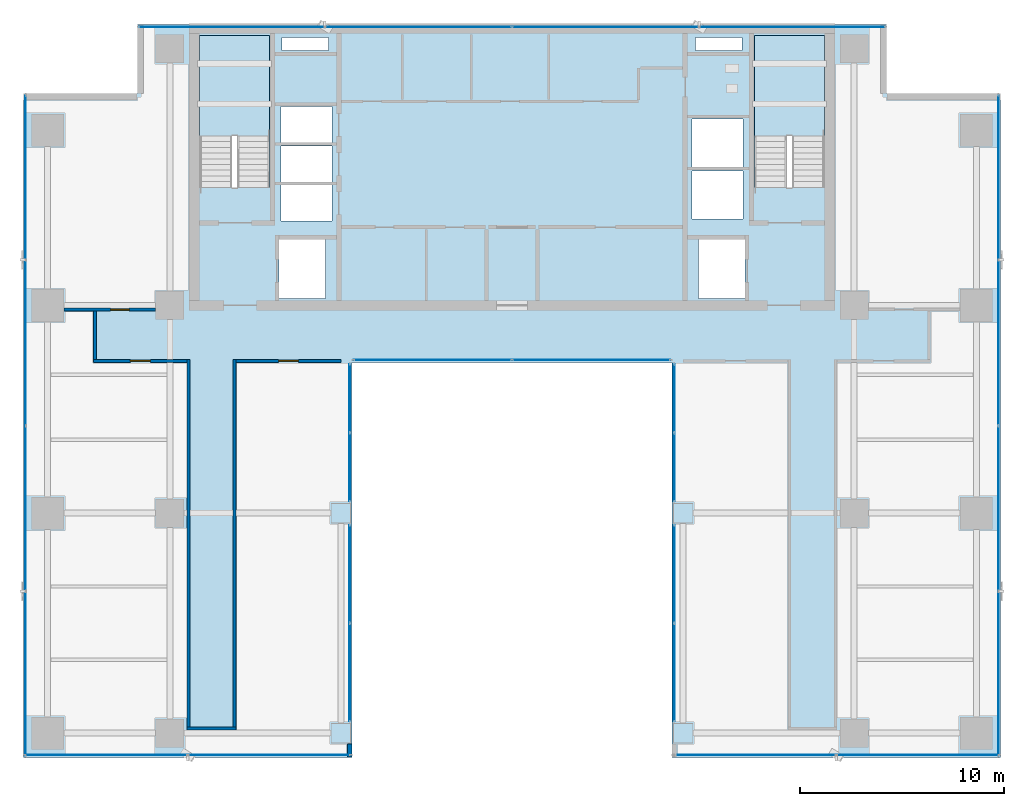
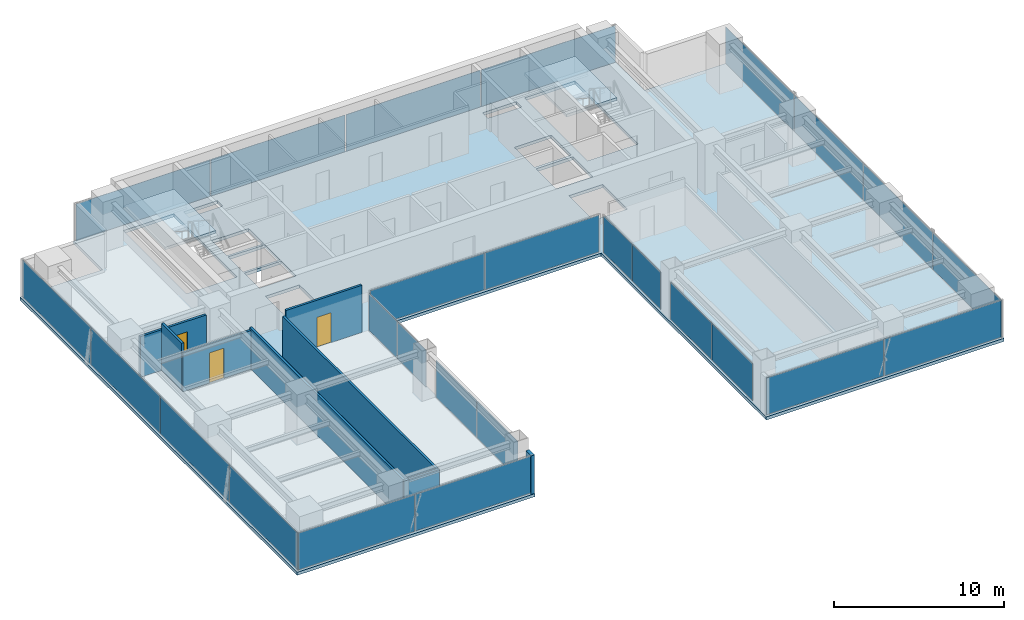
# One storey, part 23 of 29: 26 plates, 8 walls, 3 doors, 3 slabs, 3 openings, 12 elements without a shape of their own.
"""IFC4 building model written with IfcOpenShell, lengths in metres."""

from ifc_helpers import new_model, si_unit, direction, frame, frame_2d, origin, origin_2d, place, context, subcontext, project, spatial, polyline, rectangle, outline, extrude, source, transform, mapped, material, layer, layer_set, type_object, element, fill, aggregate, save


model = new_model("IFC4")

# Units and contexts
model_context = context("Model", 3, precision=1e-05, world=origin(), true_north=direction((0.0, 1.0)))
body_context = subcontext(model_context, "Body", "Model", "MODEL_VIEW")
ifc_project = project(units=[si_unit("LENGTHUNIT", "METRE"), si_unit("AREAUNIT", "SQUARE_METRE"), si_unit("VOLUMEUNIT", "CUBIC_METRE"), si_unit("PLANEANGLEUNIT", "RADIAN"), si_unit("MASSUNIT", "GRAM", prefix="KILO")], contexts=[model_context])

# Site, building, storey
site_placement = place(None, origin())
site = spatial("IfcSite", under=ifc_project, at=site_placement, CompositionType="ELEMENT")
building_placement = place(site_placement, origin())
building = spatial("IfcBuilding", under=site, at=building_placement, Name="Sumidabori Civic Tower", CompositionType="ELEMENT")
storey_placement = place(building_placement, frame((0.0, 0.0, 214.39990234375)))
storey = spatial("IfcBuildingStorey", under=building, at=storey_placement, Name="L55", CompositionType="ELEMENT", Elevation=214.39990234375)

# Stair, slab
ifc_material_1 = material(Name="Concrete C40/50", Category="concrete")
stair_type = type_object("IfcStairType", Name="ST-CORE-1600", PredefinedType="HALF_TURN_STAIR", material=ifc_material_1)
stair_1_placement = place(storey_placement, origin())
stair_1 = element("IfcStair", 1, at=stair_1_placement, inside=storey, type_object=stair_type, Name="L55 ST-1", PredefinedType="HALF_TURN_STAIR")
ifc_layer_1 = layer(ifc_material_1, 0.199951171875, Name="Concrete C40/50")
ifc_layer_set_1 = layer_set([ifc_layer_1], Name="Concrete C40/50")
slab_type_1 = type_object("IfcSlabType", Name="SL-LAND-200", PredefinedType="LANDING", material=ifc_layer_set_1)
slab_1_placement = place(storey_placement, frame((0.0, 0.0, 1.60009765625)))
slab_1 = element("IfcSlab", 2, at=slab_1_placement, type_object=slab_type_1, Name="ST-1 landing 1", PredefinedType="LANDING", context=body_context, shape_type="SweptSolid", body=[
    extrude(outline(polyline([(-11.89990234375, 18.52001953125), (-11.89990234375, 23.449951171875), (-15.340087890625, 23.449951171875), (-15.340087890625, 18.52001953125), (-11.89990234375, 18.52001953125)])), origin(), (0.0, 0.0, 1.0), 0.199951171875),
])
aggregate(stair_1, [slab_1])

stair_2_placement = place(storey_placement, origin())
stair_2 = element("IfcStair", 3, at=stair_2_placement, inside=storey, type_object=stair_type, Name="L55 ST-2", PredefinedType="HALF_TURN_STAIR")
slab_2_placement = place(storey_placement, frame((0.0, 0.0, 1.60009765625)))
slab_2 = element("IfcSlab", 4, at=slab_2_placement, type_object=slab_type_1, Name="ST-2 landing 1", PredefinedType="LANDING", context=body_context, shape_type="SweptSolid", body=[
    extrude(outline(polyline([(15.340087890625, 18.52001953125), (15.340087890625, 23.449951171875), (11.89990234375, 23.449951171875), (11.89990234375, 18.52001953125), (15.340087890625, 18.52001953125)])), origin(), (0.0, 0.0, 1.0), 0.199951171875),
])
aggregate(stair_2, [slab_2])

# Slab
ifc_layer_2 = layer(ifc_material_1, 0.219970703125, Name="Concrete C40/50")
ifc_layer_set_2 = layer_set([ifc_layer_2], Name="Concrete C40/50")
slab_type_2 = type_object("IfcSlabType", Name="SL-Z3-220", PredefinedType="FLOOR", material=ifc_layer_set_2)
slab_3_placement = place(storey_placement, frame((0.0, 0.0, -0.219970703125)))
element("IfcSlab", 5, at=slab_3_placement, inside=storey, type_object=slab_type_2, Name="Structural Slab L55", PredefinedType="FLOOR", context=body_context, shape_type="SweptSolid", body=[
    extrude(outline(polyline([(-24.0, -12.0), (-7.85009765625, -12.0), (-7.85009765625, 7.39990234375), (7.85009765625, 7.39990234375), (7.85009765625, -12.0), (24.0, -12.0), (24.0, 20.60009765625), (18.39990234375, 20.60009765625), (18.39990234375, 24.0), (-18.39990234375, 24.0), (-18.39990234375, 20.60009765625), (-24.0, 20.60009765625), (-24.0, -12.0)]), holes=[polyline([(-11.89990234375, 16.0), (-11.89990234375, 23.449951171875), (-15.340087890625, 23.449951171875), (-15.340087890625, 16.0), (-11.89990234375, 16.0)]), polyline([(15.340087890625, 16.0), (15.340087890625, 23.449951171875), (11.89990234375, 23.449951171875), (11.89990234375, 16.0), (15.340087890625, 16.0)]), polyline([(-11.449951171875, 10.550048828125), (-9.14990234375, 10.550048828125), (-9.14990234375, 13.449951171875), (-11.449951171875, 13.449951171875), (-11.449951171875, 10.550048828125)]), polyline([(9.14990234375, 10.550048828125), (11.449951171875, 10.550048828125), (11.449951171875, 13.449951171875), (9.14990234375, 13.449951171875), (9.14990234375, 10.550048828125)]), polyline([(-11.35009765625, 14.35009765625), (-8.85009765625, 14.35009765625), (-8.85009765625, 16.1201171875), (-11.35009765625, 16.1201171875), (-11.35009765625, 14.35009765625)]), polyline([(-11.35009765625, 16.27001953125), (-8.85009765625, 16.27001953125), (-8.85009765625, 18.0400390625), (-11.35009765625, 18.0400390625), (-11.35009765625, 16.27001953125)]), polyline([(-11.35009765625, 18.18994140625), (-8.85009765625, 18.18994140625), (-8.85009765625, 19.9599609375), (-11.35009765625, 19.9599609375), (-11.35009765625, 18.18994140625)]), polyline([(8.85009765625, 14.449951171875), (11.35009765625, 14.449951171875), (11.35009765625, 16.800048828125), (8.85009765625, 16.800048828125), (8.85009765625, 14.449951171875)]), polyline([(8.85009765625, 17.0), (11.35009765625, 17.0), (11.35009765625, 19.35009765625), (8.85009765625, 19.35009765625), (8.85009765625, 17.0)]), polyline([(-11.300048828125, 22.719970703125), (-9.0, 22.719970703125), (-9.0, 23.35009765625), (-11.300048828125, 23.35009765625), (-11.300048828125, 22.719970703125)]), polyline([(9.0, 22.719970703125), (11.300048828125, 22.719970703125), (11.300048828125, 23.35009765625), (9.0, 23.35009765625), (9.0, 22.719970703125)])]), origin(), (0.0, 0.0, 1.0), 0.219970703125),
])

# Curtain wall, plates
ifc_material_2 = material(Name="Anodised Bronze Aluminium AW-6063-T6", Category="aluminium")
ifc_layer_3 = layer(ifc_material_2, 0.179931640625, Name="Anodised Bronze Aluminium AW-6063-T6")
ifc_layer_set_3 = layer_set([ifc_layer_3], Name="Anodised Bronze Aluminium AW-6063-T6")
curtain_wall_type_1 = type_object("IfcCurtainWallType", Name="CW-SYS-5", PredefinedType="NOTDEFINED", material=ifc_layer_set_3)
curtain_wall_1_placement = place(storey_placement, origin())
curtain_wall_1 = element("IfcCurtainWall", 6, at=curtain_wall_1_placement, inside=storey, type_object=curtain_wall_type_1, Name="Curtain Wall CW:L55:R01", PredefinedType="NOTDEFINED")
ifc_material_3 = material(Name="Low-E Solar-Control Vision Glazing", Category="glass")
ifc_layer_4 = layer(ifc_material_3, 0.028076171875, Name="Low-E Solar-Control Vision Glazing")
ifc_layer_set_4 = layer_set([ifc_layer_4], Name="Low-E Solar-Control Vision Glazing")
plate_type_1 = type_object("IfcPlateType", Name="CW-PNL-28", PredefinedType="CURTAIN_PANEL", material=ifc_layer_set_4)
shared_shape_1 = source(origin(), body_context, "Body", "SweptSolid", [
    extrude(rectangle(XDim=7.955078125, YDim=0.028076171875, at=origin_2d()), origin(), (0.0, 0.0, 1.0), 2.639892578125),
])
plate_1_placement = place(storey_placement, frame((-19.9326171875, -11.8798828125, 0.06005859375), z_axis=(0.0, 0.0, 1.0), x_axis=(1.0, 0.0, 0.0)))
plate_1 = element("IfcPlate", 7, at=plate_1_placement, type_object=plate_type_1, Name="CW-5 panel 1.1", PredefinedType="CURTAIN_PANEL", context=body_context, shape_type="MappedRepresentation", body=[
    mapped(shared_shape_1, transform((0.0, 0.0, 0.0), x_axis=(1.0, 0.0, 0.0), y_axis=(0.0, 1.0, 0.0), z_axis=(0.0, 0.0, 1.0), scale=1.0)),
])
plate_2_placement = place(storey_placement, frame((-11.91748046875, -11.8798828125, 0.06005859375), z_axis=(0.0, 0.0, 1.0), x_axis=(1.0, 0.0, 0.0)))
plate_2 = element("IfcPlate", 8, at=plate_2_placement, type_object=plate_type_1, Name="CW-5 panel 2.1", PredefinedType="CURTAIN_PANEL", context=body_context, shape_type="MappedRepresentation", body=[
    mapped(shared_shape_1, transform((0.0, 0.0, 0.0), x_axis=(1.0, 0.0, 0.0), y_axis=(0.0, 1.0, 0.0), z_axis=(0.0, 0.0, 1.0), scale=1.0)),
])
aggregate(curtain_wall_1, [plate_1, plate_2])

curtain_wall_2_placement = place(storey_placement, origin())
curtain_wall_2 = element("IfcCurtainWall", 9, at=curtain_wall_2_placement, inside=storey, type_object=curtain_wall_type_1, Name="Curtain Wall CW:L55:R09", PredefinedType="NOTDEFINED")
plate_3_placement = place(storey_placement, frame((11.91748046875, -11.8798828125, 0.06005859375), z_axis=(0.0, 0.0, 1.0), x_axis=(1.0, 0.0, 0.0)))
plate_3 = element("IfcPlate", 10, at=plate_3_placement, type_object=plate_type_1, Name="CW-5 panel 1.1", PredefinedType="CURTAIN_PANEL", context=body_context, shape_type="MappedRepresentation", body=[
    mapped(shared_shape_1, transform((0.0, 0.0, 0.0), x_axis=(1.0, 0.0, 0.0), y_axis=(0.0, 1.0, 0.0), z_axis=(0.0, 0.0, 1.0), scale=1.0)),
])
plate_4_placement = place(storey_placement, frame((19.9326171875, -11.8798828125, 0.06005859375), z_axis=(0.0, 0.0, 1.0), x_axis=(1.0, 0.0, 0.0)))
plate_4 = element("IfcPlate", 11, at=plate_4_placement, type_object=plate_type_1, Name="CW-5 panel 2.1", PredefinedType="CURTAIN_PANEL", context=body_context, shape_type="MappedRepresentation", body=[
    mapped(shared_shape_1, transform((0.0, 0.0, 0.0), x_axis=(1.0, 0.0, 0.0), y_axis=(0.0, 1.0, 0.0), z_axis=(0.0, 0.0, 1.0), scale=1.0)),
])
aggregate(curtain_wall_2, [plate_3, plate_4])

ifc_layer_5 = layer(ifc_material_2, 0.179931640625, Name="Anodised Bronze Aluminium AW-6063-T6")
ifc_layer_set_5 = layer_set([ifc_layer_5], Name="Anodised Bronze Aluminium AW-6063-T6")
curtain_wall_type_2 = type_object("IfcCurtainWallType", Name="CW-SYS-4", PredefinedType="NOTDEFINED", material=ifc_layer_set_5)
curtain_wall_3_placement = place(storey_placement, origin())
curtain_wall_3 = element("IfcCurtainWall", 12, at=curtain_wall_3_placement, inside=storey, type_object=curtain_wall_type_2, Name="Curtain Wall CW:L55:R03", PredefinedType="NOTDEFINED")
ifc_material_4 = material(Name="Acoustic Laminated Portal Glazing", Category="glass")
ifc_layer_6 = layer(ifc_material_4, 0.030029296875, Name="Acoustic Laminated Portal Glazing")
ifc_layer_set_6 = layer_set([ifc_layer_6], Name="Acoustic Laminated Portal Glazing")
plate_type_2 = type_object("IfcPlateType", Name="CW-PNL-30", PredefinedType="CURTAIN_PANEL", material=ifc_layer_set_6)
shared_shape_2 = source(origin(), body_context, "Body", "SweptSolid", [
    extrude(rectangle(XDim=4.780029296875, YDim=0.030029296875, at=origin_2d()), origin(), (0.0, 0.0, 1.0), 2.639892578125),
])
plate_5_placement = place(storey_placement, frame((-7.969970703125, -7.820068359375, 0.06005859375), z_axis=(0.0, 0.0, 1.0), x_axis=(0.0, 1.0, 0.0)))
plate_5 = element("IfcPlate", 13, at=plate_5_placement, type_object=plate_type_2, Name="CW-4 panel 1.1", PredefinedType="CURTAIN_PANEL", context=body_context, shape_type="MappedRepresentation", body=[
    mapped(shared_shape_2, transform((0.0, 0.0, 0.0), x_axis=(1.0, 0.0, 0.0), y_axis=(0.0, 1.0, 0.0), z_axis=(0.0, 0.0, 1.0), scale=1.0)),
])
plate_6_placement = place(storey_placement, frame((-7.969970703125, -2.97998046875, 0.06005859375), z_axis=(0.0, 0.0, 1.0), x_axis=(0.0, 1.0, 0.0)))
plate_6 = element("IfcPlate", 14, at=plate_6_placement, type_object=plate_type_2, Name="CW-4 panel 2.1", PredefinedType="CURTAIN_PANEL", context=body_context, shape_type="MappedRepresentation", body=[
    mapped(shared_shape_2, transform((0.0, 0.0, 0.0), x_axis=(1.0, 0.0, 0.0), y_axis=(0.0, 1.0, 0.0), z_axis=(0.0, 0.0, 1.0), scale=1.0)),
])
aggregate(curtain_wall_3, [plate_5, plate_6])

curtain_wall_4_placement = place(storey_placement, origin())
curtain_wall_4 = element("IfcCurtainWall", 15, at=curtain_wall_4_placement, inside=storey, type_object=curtain_wall_type_2, Name="Curtain Wall CW:L55:R07", PredefinedType="NOTDEFINED")
plate_7_placement = place(storey_placement, frame((7.969970703125, -2.97998046875, 0.06005859375), z_axis=(0.0, 0.0, 1.0), x_axis=(0.0, -1.0, 0.0)))
plate_7 = element("IfcPlate", 16, at=plate_7_placement, type_object=plate_type_2, Name="CW-4 panel 1.1", PredefinedType="CURTAIN_PANEL", context=body_context, shape_type="MappedRepresentation", body=[
    mapped(shared_shape_2, transform((0.0, 0.0, 0.0), x_axis=(1.0, 0.0, 0.0), y_axis=(0.0, 1.0, 0.0), z_axis=(0.0, 0.0, 1.0), scale=1.0)),
])
plate_8_placement = place(storey_placement, frame((7.969970703125, -7.820068359375, 0.06005859375), z_axis=(0.0, 0.0, 1.0), x_axis=(0.0, -1.0, 0.0)))
plate_8 = element("IfcPlate", 17, at=plate_8_placement, type_object=plate_type_2, Name="CW-4 panel 2.1", PredefinedType="CURTAIN_PANEL", context=body_context, shape_type="MappedRepresentation", body=[
    mapped(shared_shape_2, transform((0.0, 0.0, 0.0), x_axis=(1.0, 0.0, 0.0), y_axis=(0.0, 1.0, 0.0), z_axis=(0.0, 0.0, 1.0), scale=1.0)),
])
aggregate(curtain_wall_4, [plate_7, plate_8])

curtain_wall_5_placement = place(storey_placement, origin())
curtain_wall_5 = element("IfcCurtainWall", 18, at=curtain_wall_5_placement, inside=storey, type_object=curtain_wall_type_2, Name="Curtain Wall CW:L55:R04", PredefinedType="NOTDEFINED")
shared_shape_3 = source(origin(), body_context, "Body", "SweptSolid", [
    extrude(rectangle(XDim=3.330078125, YDim=0.030029296875, at=origin_2d()), origin(), (0.0, 0.0, 1.0), 2.639892578125),
])
plate_9_placement = place(storey_placement, frame((-7.969970703125, 2.2548828125, 0.06005859375), z_axis=(0.0, 0.0, 1.0), x_axis=(0.0, 1.0, 0.0)))
plate_9 = element("IfcPlate", 19, at=plate_9_placement, type_object=plate_type_2, Name="CW-4 panel 1.1", PredefinedType="CURTAIN_PANEL", context=body_context, shape_type="MappedRepresentation", body=[
    mapped(shared_shape_3, transform((0.0, 0.0, 0.0), x_axis=(1.0, 0.0, 0.0), y_axis=(0.0, 1.0, 0.0), z_axis=(0.0, 0.0, 1.0), scale=1.0)),
])
plate_10_placement = place(storey_placement, frame((-7.969970703125, 5.64501953125, 0.06005859375), z_axis=(0.0, 0.0, 1.0), x_axis=(0.0, 1.0, 0.0)))
plate_10 = element("IfcPlate", 20, at=plate_10_placement, type_object=plate_type_2, Name="CW-4 panel 2.1", PredefinedType="CURTAIN_PANEL", context=body_context, shape_type="MappedRepresentation", body=[
    mapped(shared_shape_3, transform((0.0, 0.0, 0.0), x_axis=(1.0, 0.0, 0.0), y_axis=(0.0, 1.0, 0.0), z_axis=(0.0, 0.0, 1.0), scale=1.0)),
])
aggregate(curtain_wall_5, [plate_9, plate_10])

curtain_wall_6_placement = place(storey_placement, origin())
curtain_wall_6 = element("IfcCurtainWall", 21, at=curtain_wall_6_placement, inside=storey, type_object=curtain_wall_type_2, Name="Curtain Wall CW:L55:R06", PredefinedType="NOTDEFINED")
plate_11_placement = place(storey_placement, frame((7.969970703125, 5.64501953125, 0.06005859375), z_axis=(0.0, 0.0, 1.0), x_axis=(0.0, -1.0, 0.0)))
plate_11 = element("IfcPlate", 22, at=plate_11_placement, type_object=plate_type_2, Name="CW-4 panel 1.1", PredefinedType="CURTAIN_PANEL", context=body_context, shape_type="MappedRepresentation", body=[
    mapped(shared_shape_3, transform((0.0, 0.0, 0.0), x_axis=(1.0, 0.0, 0.0), y_axis=(0.0, 1.0, 0.0), z_axis=(0.0, 0.0, 1.0), scale=1.0)),
])
plate_12_placement = place(storey_placement, frame((7.969970703125, 2.2548828125, 0.06005859375), z_axis=(0.0, 0.0, 1.0), x_axis=(0.0, -1.0, 0.0)))
plate_12 = element("IfcPlate", 23, at=plate_12_placement, type_object=plate_type_2, Name="CW-4 panel 2.1", PredefinedType="CURTAIN_PANEL", context=body_context, shape_type="MappedRepresentation", body=[
    mapped(shared_shape_3, transform((0.0, 0.0, 0.0), x_axis=(1.0, 0.0, 0.0), y_axis=(0.0, 1.0, 0.0), z_axis=(0.0, 0.0, 1.0), scale=1.0)),
])
aggregate(curtain_wall_6, [plate_11, plate_12])

curtain_wall_7_placement = place(storey_placement, origin())
curtain_wall_7 = element("IfcCurtainWall", 24, at=curtain_wall_7_placement, inside=storey, type_object=curtain_wall_type_2, Name="Curtain Wall CW:L55:R05", PredefinedType="NOTDEFINED")
shared_shape_4 = source(origin(), body_context, "Body", "SweptSolid", [
    extrude(rectangle(XDim=7.72998046875, YDim=0.030029296875, at=origin_2d()), origin(), (0.0, 0.0, 1.0), 2.639892578125),
])
plate_13_placement = place(storey_placement, frame((-3.89501953125, 7.52001953125, 0.06005859375), z_axis=(0.0, 0.0, 1.0), x_axis=(1.0, 0.0, 0.0)))
plate_13 = element("IfcPlate", 25, at=plate_13_placement, type_object=plate_type_2, Name="CW-4 panel 1.1", PredefinedType="CURTAIN_PANEL", context=body_context, shape_type="MappedRepresentation", body=[
    mapped(shared_shape_4, transform((0.0, 0.0, 0.0), x_axis=(1.0, 0.0, 0.0), y_axis=(0.0, 1.0, 0.0), z_axis=(0.0, 0.0, 1.0), scale=1.0)),
])
plate_14_placement = place(storey_placement, frame((3.89501953125, 7.52001953125, 0.06005859375), z_axis=(0.0, 0.0, 1.0), x_axis=(1.0, 0.0, 0.0)))
plate_14 = element("IfcPlate", 26, at=plate_14_placement, type_object=plate_type_2, Name="CW-4 panel 2.1", PredefinedType="CURTAIN_PANEL", context=body_context, shape_type="MappedRepresentation", body=[
    mapped(shared_shape_4, transform((0.0, 0.0, 0.0), x_axis=(1.0, 0.0, 0.0), y_axis=(0.0, 1.0, 0.0), z_axis=(0.0, 0.0, 1.0), scale=1.0)),
])
aggregate(curtain_wall_7, [plate_13, plate_14])

curtain_wall_8_placement = place(storey_placement, origin())
curtain_wall_8 = element("IfcCurtainWall", 27, at=curtain_wall_8_placement, inside=storey, type_object=curtain_wall_type_1, Name="Curtain Wall CW:L55:R10", PredefinedType="NOTDEFINED")
shared_shape_5 = source(origin(), body_context, "Body", "SweptSolid", [
    extrude(rectangle(XDim=8.044921875, YDim=0.028076171875, at=origin_2d()), origin(), (0.0, 0.0, 1.0), 2.639892578125),
])
plate_15_placement = place(storey_placement, frame((23.8798828125, -7.887451171875, 0.06005859375), z_axis=(0.0, 0.0, 1.0), x_axis=(0.0, 1.0, 0.0)))
plate_15 = element("IfcPlate", 28, at=plate_15_placement, type_object=plate_type_1, Name="CW-5 panel 1.1", PredefinedType="CURTAIN_PANEL", context=body_context, shape_type="MappedRepresentation", body=[
    mapped(shared_shape_5, transform((0.0, 0.0, 0.0), x_axis=(1.0, 0.0, 0.0), y_axis=(0.0, 1.0, 0.0), z_axis=(0.0, 0.0, 1.0), scale=1.0)),
])
plate_16_placement = place(storey_placement, frame((23.8798828125, 16.487548828125, 0.06005859375), z_axis=(0.0, 0.0, 1.0), x_axis=(0.0, 1.0, 0.0)))
plate_16 = element("IfcPlate", 29, at=plate_16_placement, type_object=plate_type_1, Name="CW-5 panel 4.1", PredefinedType="CURTAIN_PANEL", context=body_context, shape_type="MappedRepresentation", body=[
    mapped(shared_shape_5, transform((0.0, 0.0, 0.0), x_axis=(1.0, 0.0, 0.0), y_axis=(0.0, 1.0, 0.0), z_axis=(0.0, 0.0, 1.0), scale=1.0)),
])

curtain_wall_9_placement = place(storey_placement, origin())
curtain_wall_9 = element("IfcCurtainWall", 30, at=curtain_wall_9_placement, inside=storey, type_object=curtain_wall_type_1, Name="Curtain Wall CW:L55:R16", PredefinedType="NOTDEFINED")
plate_17_placement = place(storey_placement, frame((-23.8798828125, 16.487548828125, 0.06005859375), z_axis=(0.0, 0.0, 1.0), x_axis=(0.0, -1.0, 0.0)))
plate_17 = element("IfcPlate", 31, at=plate_17_placement, type_object=plate_type_1, Name="CW-5 panel 1.1", PredefinedType="CURTAIN_PANEL", context=body_context, shape_type="MappedRepresentation", body=[
    mapped(shared_shape_5, transform((0.0, 0.0, 0.0), x_axis=(1.0, 0.0, 0.0), y_axis=(0.0, 1.0, 0.0), z_axis=(0.0, 0.0, 1.0), scale=1.0)),
])
plate_18_placement = place(storey_placement, frame((-23.8798828125, -7.887451171875, 0.06005859375), z_axis=(0.0, 0.0, 1.0), x_axis=(0.0, -1.0, 0.0)))
plate_18 = element("IfcPlate", 32, at=plate_18_placement, type_object=plate_type_1, Name="CW-5 panel 4.1", PredefinedType="CURTAIN_PANEL", context=body_context, shape_type="MappedRepresentation", body=[
    mapped(shared_shape_5, transform((0.0, 0.0, 0.0), x_axis=(1.0, 0.0, 0.0), y_axis=(0.0, 1.0, 0.0), z_axis=(0.0, 0.0, 1.0), scale=1.0)),
])

# Plate
shared_shape_6 = source(origin(), body_context, "Body", "SweptSolid", [
    extrude(rectangle(XDim=8.074951171875, YDim=0.028076171875, at=origin_2d()), origin(), (0.0, 0.0, 1.0), 2.639892578125),
])
plate_19_placement = place(storey_placement, frame((23.8798828125, 0.232421875, 0.06005859375), z_axis=(0.0, 0.0, 1.0), x_axis=(0.0, 1.0, 0.0)))
plate_19 = element("IfcPlate", 33, at=plate_19_placement, type_object=plate_type_1, Name="CW-5 panel 2.1", PredefinedType="CURTAIN_PANEL", context=body_context, shape_type="MappedRepresentation", body=[
    mapped(shared_shape_6, transform((0.0, 0.0, 0.0), x_axis=(1.0, 0.0, 0.0), y_axis=(0.0, 1.0, 0.0), z_axis=(0.0, 0.0, 1.0), scale=1.0)),
])

plate_20_placement = place(storey_placement, frame((23.8798828125, 8.367431640625, 0.06005859375), z_axis=(0.0, 0.0, 1.0), x_axis=(0.0, 1.0, 0.0)))
plate_20 = element("IfcPlate", 34, at=plate_20_placement, type_object=plate_type_1, Name="CW-5 panel 3.1", PredefinedType="CURTAIN_PANEL", context=body_context, shape_type="MappedRepresentation", body=[
    mapped(shared_shape_6, transform((0.0, 0.0, 0.0), x_axis=(1.0, 0.0, 0.0), y_axis=(0.0, 1.0, 0.0), z_axis=(0.0, 0.0, 1.0), scale=1.0)),
])

aggregate(curtain_wall_8, [plate_15, plate_19, plate_20, plate_16])

plate_21_placement = place(storey_placement, frame((-23.8798828125, 8.367431640625, 0.06005859375), z_axis=(0.0, 0.0, 1.0), x_axis=(0.0, -1.0, 0.0)))
plate_21 = element("IfcPlate", 35, at=plate_21_placement, type_object=plate_type_1, Name="CW-5 panel 2.1", PredefinedType="CURTAIN_PANEL", context=body_context, shape_type="MappedRepresentation", body=[
    mapped(shared_shape_6, transform((0.0, 0.0, 0.0), x_axis=(1.0, 0.0, 0.0), y_axis=(0.0, 1.0, 0.0), z_axis=(0.0, 0.0, 1.0), scale=1.0)),
])

plate_22_placement = place(storey_placement, frame((-23.8798828125, 0.232421875, 0.06005859375), z_axis=(0.0, 0.0, 1.0), x_axis=(0.0, -1.0, 0.0)))
plate_22 = element("IfcPlate", 36, at=plate_22_placement, type_object=plate_type_1, Name="CW-5 panel 3.1", PredefinedType="CURTAIN_PANEL", context=body_context, shape_type="MappedRepresentation", body=[
    mapped(shared_shape_6, transform((0.0, 0.0, 0.0), x_axis=(1.0, 0.0, 0.0), y_axis=(0.0, 1.0, 0.0), z_axis=(0.0, 0.0, 1.0), scale=1.0)),
])

aggregate(curtain_wall_9, [plate_17, plate_21, plate_22, plate_18])

# Curtain wall, plates
curtain_wall_10_placement = place(storey_placement, origin())
curtain_wall_10 = element("IfcCurtainWall", 37, at=curtain_wall_10_placement, inside=storey, type_object=curtain_wall_type_1, Name="Curtain Wall CW:L55:R13", PredefinedType="NOTDEFINED")
shared_shape_7 = source(origin(), body_context, "Body", "SweptSolid", [
    extrude(rectangle(XDim=9.094970703125, YDim=0.028076171875, at=origin_2d()), origin(), (0.0, 0.0, 1.0), 2.639892578125),
])
plate_23_placement = place(storey_placement, frame((13.762451171875, 23.8798828125, 0.06005859375), z_axis=(0.0, 0.0, 1.0), x_axis=(-1.0, 0.0, 0.0)))
plate_23 = element("IfcPlate", 38, at=plate_23_placement, type_object=plate_type_1, Name="CW-5 panel 1.1", PredefinedType="CURTAIN_PANEL", context=body_context, shape_type="MappedRepresentation", body=[
    mapped(shared_shape_7, transform((0.0, 0.0, 0.0), x_axis=(1.0, 0.0, 0.0), y_axis=(0.0, 1.0, 0.0), z_axis=(0.0, 0.0, 1.0), scale=1.0)),
])
plate_24_placement = place(storey_placement, frame((-13.762451171875, 23.8798828125, 0.06005859375), z_axis=(0.0, 0.0, 1.0), x_axis=(-1.0, 0.0, 0.0)))
plate_24 = element("IfcPlate", 39, at=plate_24_placement, type_object=plate_type_1, Name="CW-5 panel 4.1", PredefinedType="CURTAIN_PANEL", context=body_context, shape_type="MappedRepresentation", body=[
    mapped(shared_shape_7, transform((0.0, 0.0, 0.0), x_axis=(1.0, 0.0, 0.0), y_axis=(0.0, 1.0, 0.0), z_axis=(0.0, 0.0, 1.0), scale=1.0)),
])
shared_shape_8 = source(origin(), body_context, "Body", "SweptSolid", [
    extrude(rectangle(XDim=9.125, YDim=0.028076171875, at=origin_2d()), origin(), (0.0, 0.0, 1.0), 2.639892578125),
])
plate_25_placement = place(storey_placement, frame((4.592529296875, 23.8798828125, 0.06005859375), z_axis=(0.0, 0.0, 1.0), x_axis=(-1.0, 0.0, 0.0)))
plate_25 = element("IfcPlate", 40, at=plate_25_placement, type_object=plate_type_1, Name="CW-5 panel 2.1", PredefinedType="CURTAIN_PANEL", context=body_context, shape_type="MappedRepresentation", body=[
    mapped(shared_shape_8, transform((0.0, 0.0, 0.0), x_axis=(1.0, 0.0, 0.0), y_axis=(0.0, 1.0, 0.0), z_axis=(0.0, 0.0, 1.0), scale=1.0)),
])
plate_26_placement = place(storey_placement, frame((-4.592529296875, 23.8798828125, 0.06005859375), z_axis=(0.0, 0.0, 1.0), x_axis=(-1.0, 0.0, 0.0)))
plate_26 = element("IfcPlate", 41, at=plate_26_placement, type_object=plate_type_1, Name="CW-5 panel 3.1", PredefinedType="CURTAIN_PANEL", context=body_context, shape_type="MappedRepresentation", body=[
    mapped(shared_shape_8, transform((0.0, 0.0, 0.0), x_axis=(1.0, 0.0, 0.0), y_axis=(0.0, 1.0, 0.0), z_axis=(0.0, 0.0, 1.0), scale=1.0)),
])
aggregate(curtain_wall_10, [plate_23, plate_25, plate_26, plate_24])

# Wall
ifc_material_5 = material(Name="Precast concrete C40/50", Category="concrete")
ifc_layer_7 = layer(ifc_material_5, 0.300048828125, Name="Precast concrete C40/50")
ifc_layer_set_7 = layer_set([ifc_layer_7], Name="Precast concrete C40/50")
wall_type_1 = type_object("IfcWallType", Name="WL-EXT-POD300", PredefinedType="STANDARD", material=ifc_layer_set_7)
shared_shape_9 = source(origin(), body_context, "Body", "SweptSolid", [
    extrude(rectangle(XDim=0.639892578125, YDim=0.239990234375, at=frame_2d((0.31982421875, 0.0))), origin(), (0.0, 0.0, 1.0), 2.760009765625),
])
wall_1_placement = place(storey_placement, frame((-7.969970703125, -11.969970703125, 0.0), z_axis=(0.0, 0.0, 1.0), x_axis=(0.0, 1.0, 0.0)))
element("IfcWall", 42, at=wall_1_placement, inside=storey, type_object=wall_type_1, Name="Perimeter Pier Spandrel L55-02", PredefinedType="STANDARD", context=body_context, shape_type="MappedRepresentation", body=[
    mapped(shared_shape_9, transform((0.0, 0.0, 0.0), x_axis=(1.0, 0.0, 0.0), y_axis=(0.0, 1.0, 0.0), z_axis=(0.0, 0.0, 1.0), scale=1.0)),
])

# Wall, opening, door
ifc_material_6 = material(Name="Gypsum Plasterboard Acoustic Partition")
ifc_layer_8 = layer(ifc_material_6, 0.14990234375, Name="Gypsum Plasterboard Acoustic Partition")
ifc_layer_set_8 = layer_set([ifc_layer_8], Name="Gypsum Plasterboard Acoustic Partition")
wall_type_2 = type_object("IfcWallType", Name="WL-PART-150", PredefinedType="PARTITIONING", material=ifc_layer_set_8)
shared_shape_10 = source(origin(), body_context, "Body", "SweptSolid", [
    extrude(rectangle(XDim=4.47998046875, YDim=0.14990234375, at=frame_2d((2.239990234375, 0.0))), origin(), (0.0, 0.0, 1.0), 2.9150390625),
])
wall_2_placement = place(storey_placement, frame((-21.989990234375, 10.0, 0.0), z_axis=(0.0, 0.0, 1.0), x_axis=(1.0, 0.0, 0.0)))
wall_2 = element("IfcWall", 43, at=wall_2_placement, inside=storey, type_object=wall_type_2, Name="Interior Partition WL:L55:FLK-NW", PredefinedType="PARTITIONING", context=body_context, shape_type="MappedRepresentation", body=[
    mapped(shared_shape_10, transform((0.0, 0.0, 0.0), x_axis=(1.0, 0.0, 0.0), y_axis=(0.0, 1.0, 0.0), z_axis=(0.0, 0.0, 1.0), scale=1.0)),
])
opening_1_placement = place(wall_2_placement, frame((2.284912109375, 0.0, 0.0)))
opening_1 = element("IfcOpeningElement", 44, at=opening_1_placement, cuts=wall_2, Name="Opening DR-1", PredefinedType="OPENING", context=body_context, shape_type="SweptSolid", body=[
    extrude(rectangle(XDim=0.89990234375, YDim=2.14990234375, at=frame_2d((0.449951171875, 1.074951171875))), frame((0.0, 0.0869140625, 0.0), z_axis=(0.0, -1.0, 0.0), x_axis=(1.0, 0.0, 0.0)), (0.0, 0.0, 1.0), 0.173828125),
])
ifc_material_7 = material(Name="Japanese Hinoki Timber", Category="wood")
door_type_1 = type_object("IfcDoorType", Name="DR-INT-900", OperationType="NOTDEFINED", PredefinedType="DOOR", material=ifc_material_7)
shared_shape_11 = source(origin(), body_context, "Body", "SweptSolid", [
    extrude(rectangle(XDim=0.89990234375, YDim=2.14990234375, at=frame_2d((0.449951171875, 1.074951171875))), frame((0.0, 0.02490234375, 0.0), z_axis=(0.0, -1.0, 0.0), x_axis=(1.0, 0.0, 0.0)), (0.0, 0.0, 1.0), 0.050048828125),
])
door_1_placement = place(opening_1_placement, origin())
door_1 = element("IfcDoor", 45, at=door_1_placement, inside=storey, type_object=door_type_1, Name="Door DR:L55:FLK-NW", OperationType="SINGLE_SWING_LEFT", OverallHeight=2.14990234375, OverallWidth=0.89990234375, PredefinedType="DOOR", context=body_context, shape_type="MappedRepresentation", body=[
    mapped(shared_shape_11, transform((0.0, 0.0, 0.0), x_axis=(1.0, 0.0, 0.0), y_axis=(0.0, 1.0, 0.0), z_axis=(0.0, 0.0, 1.0), scale=1.0)),
])
fill(opening_1, door_1)

shared_shape_12 = source(origin(), body_context, "Body", "SweptSolid", [
    extrude(rectangle(XDim=4.60009765625, YDim=0.14990234375, at=frame_2d((2.300048828125, 0.0))), origin(), (0.0, 0.0, 1.0), 2.76513671875),
])
wall_3_placement = place(storey_placement, frame((-20.550048828125, 7.47509765625, 0.0), z_axis=(0.0, 0.0, 1.0), x_axis=(1.0, 0.0, 0.0)))
wall_3 = element("IfcWall", 46, at=wall_3_placement, inside=storey, type_object=wall_type_2, Name="Interior Partition WL:L55:CORR-SWO", PredefinedType="PARTITIONING", context=body_context, shape_type="MappedRepresentation", body=[
    mapped(shared_shape_12, transform((0.0, 0.0, 0.0), x_axis=(1.0, 0.0, 0.0), y_axis=(0.0, 1.0, 0.0), z_axis=(0.0, 0.0, 1.0), scale=1.0)),
])
opening_2_placement = place(wall_3_placement, frame((1.81005859375, 0.0, 0.0)))
opening_2 = element("IfcOpeningElement", 47, at=opening_2_placement, cuts=wall_3, Name="Opening DR-3", PredefinedType="OPENING", context=body_context, shape_type="SweptSolid", body=[
    extrude(rectangle(XDim=0.97998046875, YDim=2.14990234375, at=frame_2d((0.489990234375, 1.074951171875))), frame((0.0, 0.0869140625, 0.0), z_axis=(0.0, -1.0, 0.0), x_axis=(1.0, 0.0, 0.0)), (0.0, 0.0, 1.0), 0.173828125),
])
door_type_2 = type_object("IfcDoorType", Name="DR-INT-980", OperationType="NOTDEFINED", PredefinedType="DOOR", material=ifc_material_7)
shared_shape_13 = source(origin(), body_context, "Body", "SweptSolid", [
    extrude(rectangle(XDim=0.97998046875, YDim=2.14990234375, at=frame_2d((0.489990234375, 1.074951171875))), frame((0.0, 0.02490234375, 0.0), z_axis=(0.0, -1.0, 0.0), x_axis=(1.0, 0.0, 0.0)), (0.0, 0.0, 1.0), 0.050048828125),
])
door_2_placement = place(opening_2_placement, origin())
door_2 = element("IfcDoor", 48, at=door_2_placement, inside=storey, type_object=door_type_2, Name="Door DR:L55:D03", OperationType="SINGLE_SWING_LEFT", OverallHeight=2.14990234375, OverallWidth=0.97998046875, PredefinedType="DOOR", context=body_context, shape_type="MappedRepresentation", body=[
    mapped(shared_shape_13, transform((0.0, 0.0, 0.0), x_axis=(1.0, 0.0, 0.0), y_axis=(0.0, 1.0, 0.0), z_axis=(0.0, 0.0, 1.0), scale=1.0)),
])
fill(opening_2, door_2)

shared_shape_14 = source(origin(), body_context, "Body", "SweptSolid", [
    extrude(rectangle(XDim=5.150146484375, YDim=0.14990234375, at=frame_2d((2.5751953125, 0.0))), origin(), (0.0, 0.0, 1.0), 3.380126953125),
])
wall_4_placement = place(storey_placement, frame((-13.550048828125, 7.47509765625, 0.0), z_axis=(0.0, 0.0, 1.0), x_axis=(1.0, 0.0, 0.0)))
wall_4 = element("IfcWall", 49, at=wall_4_placement, inside=storey, type_object=wall_type_2, Name="Interior Partition WL:L55:CORR-SWI", PredefinedType="PARTITIONING", context=body_context, shape_type="MappedRepresentation", body=[
    mapped(shared_shape_14, transform((0.0, 0.0, 0.0), x_axis=(1.0, 0.0, 0.0), y_axis=(0.0, 1.0, 0.0), z_axis=(0.0, 0.0, 1.0), scale=1.0)),
])
opening_3_placement = place(wall_4_placement, frame((2.0849609375, 0.0, 0.0)))
opening_3 = element("IfcOpeningElement", 50, at=opening_3_placement, cuts=wall_4, Name="Opening DR-3", PredefinedType="OPENING", context=body_context, shape_type="SweptSolid", body=[
    extrude(rectangle(XDim=0.97998046875, YDim=2.14990234375, at=frame_2d((0.489990234375, 1.074951171875))), frame((0.0, 0.0869140625, 0.0), z_axis=(0.0, -1.0, 0.0), x_axis=(1.0, 0.0, 0.0)), (0.0, 0.0, 1.0), 0.173828125),
])
door_3_placement = place(opening_3_placement, origin())
door_3 = element("IfcDoor", 51, at=door_3_placement, inside=storey, type_object=door_type_2, Name="Door DR:L55:D05", OperationType="SINGLE_SWING_LEFT", OverallHeight=2.14990234375, OverallWidth=0.97998046875, PredefinedType="DOOR", context=body_context, shape_type="MappedRepresentation", body=[
    mapped(shared_shape_13, transform((0.0, 0.0, 0.0), x_axis=(1.0, 0.0, 0.0), y_axis=(0.0, 1.0, 0.0), z_axis=(0.0, 0.0, 1.0), scale=1.0)),
])
fill(opening_3, door_3)

# Walls
shared_shape_15 = source(origin(), body_context, "Body", "SweptSolid", [
    extrude(rectangle(XDim=2.39990234375, YDim=0.14990234375, at=frame_2d((1.199951171875, 0.0))), origin(), (0.0, 0.0, 1.0), 2.9150390625),
])
wall_5_placement = place(storey_placement, frame((-15.949951171875, -10.574951171875, 0.0), z_axis=(0.0, 0.0, 1.0), x_axis=(1.0, 0.0, 0.0)))
element("IfcWall", 52, at=wall_5_placement, inside=storey, type_object=wall_type_2, Name="Interior Partition WL:L55:CORR-CAP-W", PredefinedType="PARTITIONING", context=body_context, shape_type="MappedRepresentation", body=[
    mapped(shared_shape_15, transform((0.0, 0.0, 0.0), x_axis=(1.0, 0.0, 0.0), y_axis=(0.0, 1.0, 0.0), z_axis=(0.0, 0.0, 1.0), scale=1.0)),
])
shared_shape_16 = source(origin(), body_context, "Body", "SweptSolid", [
    extrude(rectangle(XDim=2.364990234375, YDim=0.14990234375, at=frame_2d((1.1826171875, 0.0))), origin(), (0.0, 0.0, 1.0), 3.380126953125),
])
wall_6_placement = place(storey_placement, frame((-20.47509765625, 7.554931640625, 0.0), z_axis=(0.0, 0.0, 1.0), x_axis=(0.0, 1.0, 0.0)))
element("IfcWall", 53, at=wall_6_placement, inside=storey, type_object=wall_type_2, Name="Interior Partition WL:L55:CORR-VNW", PredefinedType="PARTITIONING", context=body_context, shape_type="MappedRepresentation", body=[
    mapped(shared_shape_16, transform((0.0, 0.0, 0.0), x_axis=(1.0, 0.0, 0.0), y_axis=(0.0, 1.0, 0.0), z_axis=(0.0, 0.0, 1.0), scale=1.0)),
])
shared_shape_17 = source(origin(), body_context, "Body", "SweptSolid", [
    extrude(rectangle(XDim=18.045166015625, YDim=0.14990234375, at=frame_2d((9.0224609375, 0.0))), origin(), (0.0, 0.0, 1.0), 2.9150390625),
])
for number, where, z_axis, x_axis, name in (
    (54, (-15.875, -10.4951171875, 0.0), (0.0, 0.0, 1.0), (0.0, 1.0, 0.0), "Interior Partition WL:L55:CORR-VPW-O"),
    (55, (-13.625, -10.4951171875, 0.0), (0.0, 0.0, 1.0), (0.0, 1.0, 0.0), "Interior Partition WL:L55:CORR-VPW-I"),
):
    element("IfcWall", number, at=place(storey_placement, frame(where, z_axis=z_axis, x_axis=x_axis)), inside=storey, type_object=wall_type_2, Name=name, PredefinedType="PARTITIONING", context=body_context, shape_type="MappedRepresentation", body=[
        mapped(shared_shape_17, transform((0.0, 0.0, 0.0), x_axis=(1.0, 0.0, 0.0), y_axis=(0.0, 1.0, 0.0), z_axis=(0.0, 0.0, 1.0), scale=1.0)),
    ])

save(model, "model.ifc")
